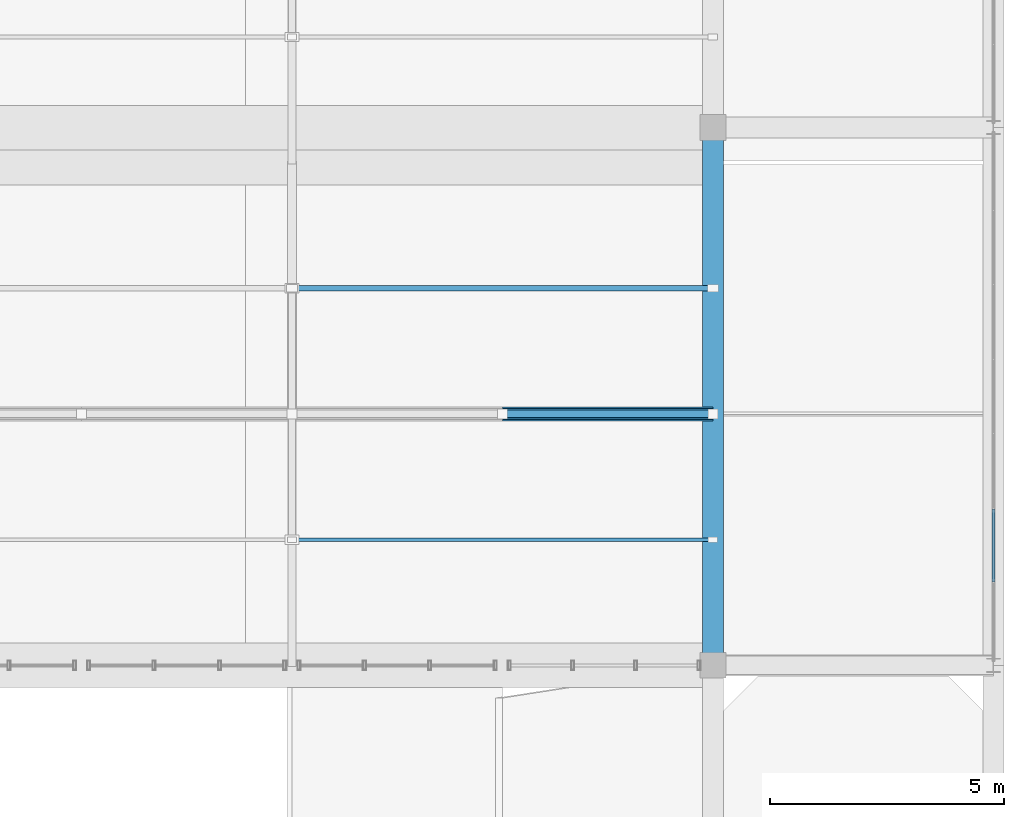
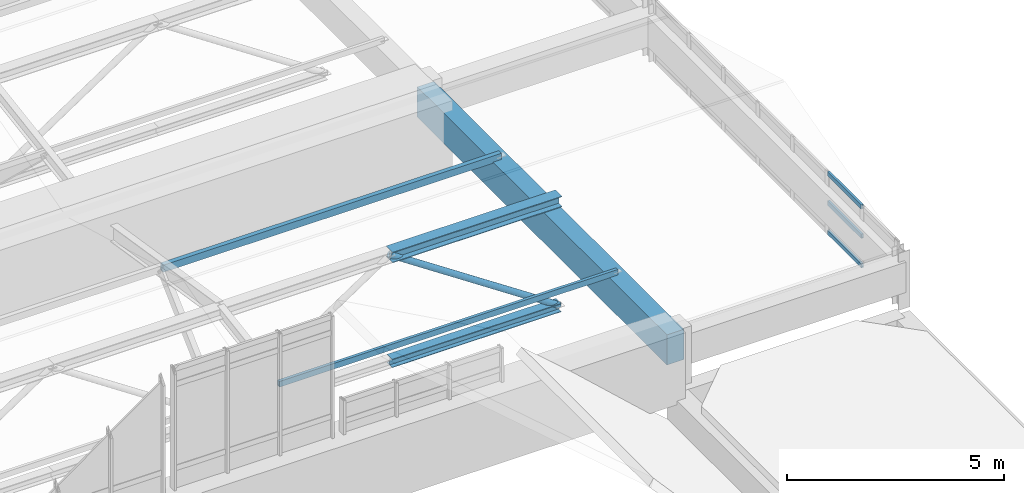
# One storey, part 56 of 82: 8 members, 1 beam, 1 element without a shape of its own.
"""IFC4 building model written with IfcOpenShell, lengths in metres."""

from ifc_helpers import new_model, si_unit, direction, frame, origin, origin_2d, place, context, subcontext, project, spatial, rectangle, hollow_rectangle, hollow_circle, i_section, extrude, material, layer, layer_set, material_profile, profile_set, type_object, element, aggregate, save


model = new_model("IFC4")

# Units and contexts
model_context = context("Model", 3, precision=1e-05, world=origin(), true_north=direction((0.0, 1.0)))
body_context = subcontext(model_context, "Body", "Model", "MODEL_VIEW")
ifc_project = project(units=[si_unit("LENGTHUNIT", "METRE"), si_unit("AREAUNIT", "SQUARE_METRE"), si_unit("VOLUMEUNIT", "CUBIC_METRE"), si_unit("PLANEANGLEUNIT", "RADIAN"), si_unit("MASSUNIT", "GRAM", prefix="KILO")], contexts=[model_context])

# Site, building, storey
site_placement = place(None, origin())
site = spatial("IfcSite", under=ifc_project, at=site_placement, CompositionType="ELEMENT")
building_placement = place(site_placement, origin())
building = spatial("IfcBuilding", under=site, at=building_placement, Name="Mersad Railyard Sports Hall", CompositionType="ELEMENT")
storey_placement = place(building_placement, frame((0.0, 0.0, 13.199951171875)))
storey = spatial("IfcBuildingStorey", under=building, at=storey_placement, Name="L03", CompositionType="ELEMENT", Elevation=13.199951171875)

# Curtain wall, members
ifc_material_1 = material(Name="Aluminium 6063-T6", Category="aluminium")
ifc_layer = layer(ifc_material_1, 0.159912109375)
ifc_layer_set = layer_set([ifc_layer], Name="Aluminium 6063-T6")
curtain_wall_type = type_object("IfcCurtainWallType", Name="ARC-CW-CW21", PredefinedType="USERDEFINED", material=ifc_layer_set)
curtain_wall_placement = place(storey_placement, origin())
curtain_wall = element("IfcCurtainWall", 1, at=curtain_wall_placement, inside=storey, type_object=curtain_wall_type, Name="Curtain wall CW21-0060", ObjectType="CURTAIN WALL", PredefinedType="USERDEFINED")
ifc_material_profile_1 = material_profile(ifc_material_1, hollow_rectangle(XDim=0.06005859375, YDim=0.1201171875, WallThickness=0.00390625, at=origin_2d()), Name="AL TRANSOM 60x120x4")
ifc_profile_set_1 = profile_set([ifc_material_profile_1], Name="Aluminium 6063-T6")
member_type_1 = type_object("IfcMemberType", Name="ARC-CW-TRN01", PredefinedType="USERDEFINED", material=ifc_profile_set_1)
member_1_placement = place(storey_placement, frame((179.0, 76.838623046875, 0.0400390625), z_axis=(0.0, -1.0, 0.0), x_axis=(1.0, 0.0, 0.0)))
member_1 = element("IfcMember", 2, at=member_1_placement, type_object=member_type_1, Name="CW21 Transom 1-6", ObjectType="TRANSOM", PredefinedType="USERDEFINED", context=body_context, shape_type="SweptSolid", body=[
    extrude(hollow_rectangle(XDim=0.06005859375, YDim=0.1201171875, WallThickness=0.00390625, at=origin_2d()), origin(), (0.0, 0.0, 1.0), 1.554443359375),
])
member_2_placement = place(storey_placement, frame((179.0, 76.838623046875, 0.864990234375), z_axis=(0.0, -1.0, 0.0), x_axis=(1.0, 0.0, 0.0)))
member_2 = element("IfcMember", 3, at=member_2_placement, type_object=member_type_1, Name="CW21 Transom 2-6", ObjectType="TRANSOM", PredefinedType="USERDEFINED", context=body_context, shape_type="SweptSolid", body=[
    extrude(hollow_rectangle(XDim=0.06005859375, YDim=0.1201171875, WallThickness=0.00390625, at=origin_2d()), origin(), (0.0, 0.0, 1.0), 1.554443359375),
])
member_3_placement = place(storey_placement, frame((179.0, 76.838623046875, 1.68994140625), z_axis=(0.0, -1.0, 0.0), x_axis=(1.0, 0.0, 0.0)))
member_3 = element("IfcMember", 4, at=member_3_placement, type_object=member_type_1, Name="CW21 Transom 3-6", ObjectType="TRANSOM", PredefinedType="USERDEFINED", context=body_context, shape_type="SweptSolid", body=[
    extrude(hollow_rectangle(XDim=0.06005859375, YDim=0.1201171875, WallThickness=0.00390625, at=origin_2d()), origin(), (0.0, 0.0, 1.0), 1.554443359375),
])
aggregate(curtain_wall, [member_1, member_2, member_3])

# Beam
ifc_material_2 = material(Name="Concrete C40/50", Category="concrete")
ifc_material_profile_2 = material_profile(ifc_material_2, rectangle(XDim=0.449951171875, YDim=0.85009765625, at=origin_2d()), Name="RC 450x850")
ifc_profile_set_2 = profile_set([ifc_material_profile_2], Name="Concrete C40/50")
beam_type = type_object("IfcBeamType", Name="STR-BM-B02", PredefinedType="BEAM", material=ifc_profile_set_2)
beam_placement = place(storey_placement, frame((173.0, 73.5, 0.925048828125), z_axis=(0.0, 1.0, 0.0), x_axis=(-1.0, 0.0, 0.0)))
element("IfcBeam", 5, at=beam_placement, inside=storey, type_object=beam_type, Name="Beam B02-0917", PredefinedType="BEAM", context=body_context, shape_type="SweptSolid", body=[
    extrude(rectangle(XDim=0.449951171875, YDim=0.85009765625, at=origin_2d()), origin(), (0.0, 0.0, 1.0), 11.5),
])

# Members
ifc_material_3 = material(Name="Steel S355", Category="steel")
ifc_material_profile_3 = material_profile(ifc_material_3, hollow_circle(Radius=0.084228515625, WallThickness=0.008056640625, at=origin_2d()), Name="CHS 168.3x8")
ifc_profile_set_3 = profile_set([ifc_material_profile_3], Name="Steel S355")
member_type_2 = type_object("IfcMemberType", Name="STR-MEM-BR03", PredefinedType="BRACE", material=ifc_profile_set_3)
member_4_placement = place(storey_placement, frame((168.5, 78.875, 1.85009765625), z_axis=(0.832050294338, 0.0, -0.554700196225), x_axis=(0.0, 1.0, 0.0)))
element("IfcMember", 6, at=member_4_placement, inside=storey, type_object=member_type_2, Name="Structural member BR03-0237", PredefinedType="BRACE", context=body_context, shape_type="SweptSolid", body=[
    extrude(hollow_circle(Radius=0.084228515625, WallThickness=0.008056640625, at=origin_2d()), origin(), (0.0, 0.0, 1.0), 5.408447265625),
])
ifc_material_profile_4 = material_profile(ifc_material_3, i_section(OverallWidth=0.239990234375, OverallDepth=0.239990234375, WebThickness=0.010009765625, FlangeThickness=0.01708984375, at=origin_2d()), Name="HEB 240")
ifc_profile_set_4 = profile_set([ifc_material_profile_4], Name="Steel S355")
member_type_3 = type_object("IfcMemberType", Name="STR-MEM-CH01", PredefinedType="CHORD", material=ifc_profile_set_4)
member_5_placement = place(storey_placement, frame((168.5, 78.875, -1.14990234375), z_axis=(1.0, 0.0, 0.0), x_axis=(0.0, 1.0, 0.0)))
element("IfcMember", 7, at=member_5_placement, inside=storey, type_object=member_type_3, Name="Structural member CH01-0236", PredefinedType="CHORD", context=body_context, shape_type="SweptSolid", body=[
    extrude(i_section(OverallWidth=0.239990234375, OverallDepth=0.239990234375, WebThickness=0.010009765625, FlangeThickness=0.01708984375, at=origin_2d()), origin(), (0.0, 0.0, 1.0), 4.5),
])
ifc_material_profile_5 = material_profile(ifc_material_3, i_section(OverallWidth=0.300048828125, OverallDepth=0.300048828125, WebThickness=0.010986328125, FlangeThickness=0.01904296875, at=origin_2d()), Name="HEB 300")
ifc_profile_set_5 = profile_set([ifc_material_profile_5], Name="Steel S355")
member_type_4 = type_object("IfcMemberType", Name="STR-MEM-CH02", PredefinedType="CHORD", material=ifc_profile_set_5)
member_6_placement = place(storey_placement, frame((168.5, 78.875, 1.85009765625), z_axis=(1.0, 0.0, 0.0), x_axis=(0.0, 1.0, 0.0)))
element("IfcMember", 8, at=member_6_placement, inside=storey, type_object=member_type_4, Name="Structural member CH02-0235", PredefinedType="CHORD", context=body_context, shape_type="SweptSolid", body=[
    extrude(i_section(OverallWidth=0.300048828125, OverallDepth=0.300048828125, WebThickness=0.010986328125, FlangeThickness=0.01904296875, at=origin_2d()), origin(), (0.0, 0.0, 1.0), 4.5),
])
ifc_material_profile_6 = material_profile(ifc_material_3, hollow_rectangle(XDim=0.080078125, YDim=0.159912109375, WallThickness=0.008056640625, at=origin_2d()), Name="RHS 160x80x8")
ifc_profile_set_6 = profile_set([ifc_material_profile_6], Name="Steel S355")
member_type_5 = type_object("IfcMemberType", Name="STR-MEM-PU03", PredefinedType="PURLIN", material=ifc_profile_set_6)
member_7_placement = place(storey_placement, frame((164.0, 76.1875, 1.425048828125), z_axis=(1.0, 0.0, 0.0), x_axis=(0.0, 1.0, 0.0)))
element("IfcMember", 9, at=member_7_placement, inside=storey, type_object=member_type_5, Name="Structural member PU03-0256", PredefinedType="PURLIN", context=body_context, shape_type="SweptSolid", body=[
    extrude(hollow_rectangle(XDim=0.080078125, YDim=0.159912109375, WallThickness=0.008056640625, at=origin_2d()), origin(), (0.0, 0.0, 1.0), 9.0),
])
ifc_material_profile_7 = material_profile(ifc_material_3, hollow_rectangle(XDim=0.1201171875, YDim=0.199951171875, WallThickness=0.010009765625, at=origin_2d()), Name="RHS 200x120x10")
ifc_profile_set_7 = profile_set([ifc_material_profile_7], Name="Steel S355")
member_type_6 = type_object("IfcMemberType", Name="STR-MEM-SR01", PredefinedType="STRUT", material=ifc_profile_set_7)
member_8_placement = place(storey_placement, frame((164.0, 81.5625, 1.425048828125), z_axis=(1.0, 0.0, 0.0), x_axis=(0.0, 1.0, 0.0)))
element("IfcMember", 10, at=member_8_placement, inside=storey, type_object=member_type_6, Name="Structural member SR01-0257", PredefinedType="STRUT", context=body_context, shape_type="SweptSolid", body=[
    extrude(hollow_rectangle(XDim=0.1201171875, YDim=0.199951171875, WallThickness=0.010009765625, at=origin_2d()), origin(), (0.0, 0.0, 1.0), 9.0),
])

save(model, "model.ifc")
